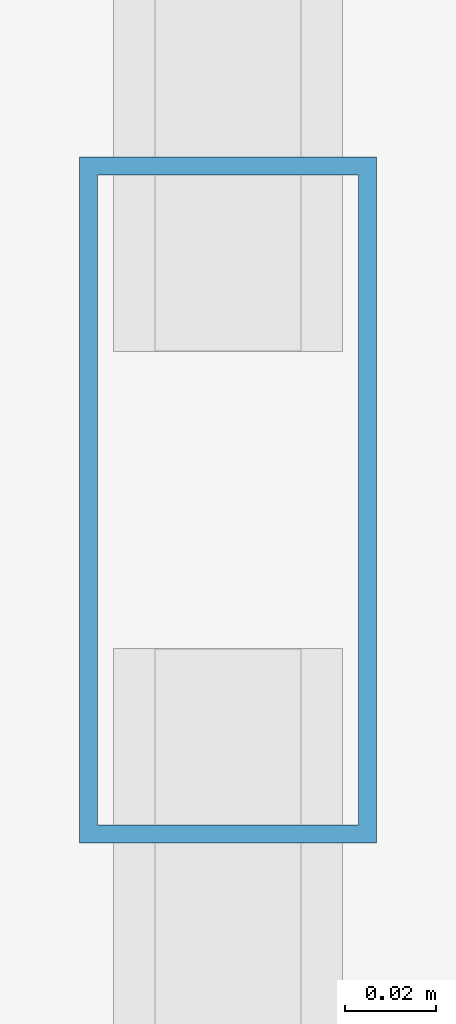
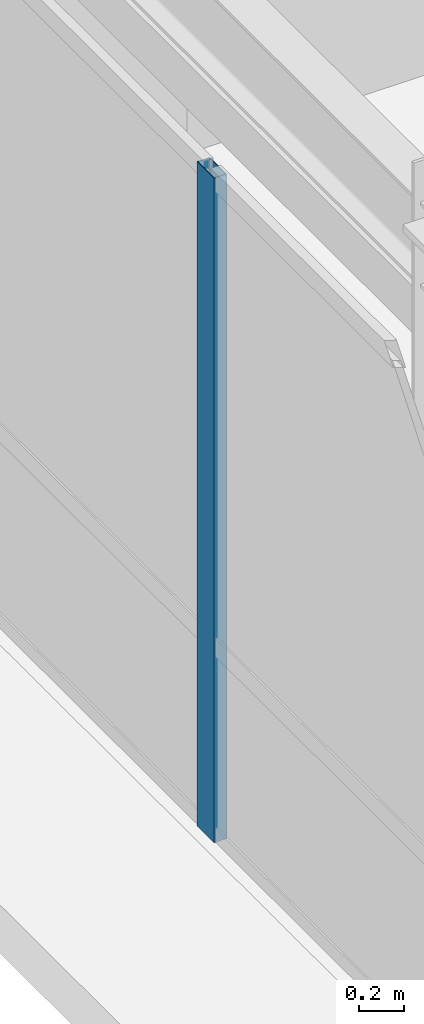
# One storey, part 15 of 35: 1 member, 1 element without a shape of its own.
"""IFC4 building model written with IfcOpenShell, lengths in metres."""

from ifc_helpers import new_model, si_unit, direction, frame, origin, origin_2d, place, context, subcontext, project, spatial, hollow_rectangle, extrude, source, transform, mapped, material, layer, layer_set, material_profile, profile_set, type_object, type_shapes, element, aggregate, save


model = new_model("IFC4")

# Units and contexts
model_context = context("Model", 3, precision=1e-05, world=origin(), true_north=direction((0.0, 1.0)))
body_context = subcontext(model_context, "Body", "Model", "MODEL_VIEW")
ifc_project = project(units=[si_unit("LENGTHUNIT", "METRE"), si_unit("AREAUNIT", "SQUARE_METRE"), si_unit("VOLUMEUNIT", "CUBIC_METRE"), si_unit("PLANEANGLEUNIT", "RADIAN"), si_unit("MASSUNIT", "GRAM", prefix="KILO")], contexts=[model_context])

# Site, building, storey
site_placement = place(None, origin())
site = spatial("IfcSite", under=ifc_project, at=site_placement, CompositionType="ELEMENT")
building_placement = place(site_placement, origin())
building = spatial("IfcBuilding", under=site, at=building_placement, Name="Tolvann Quenvar Hotel", CompositionType="ELEMENT")
storey_placement = place(building_placement, frame((0.0, 0.0, 290.949951171875)))
storey = spatial("IfcBuildingStorey", under=building, at=storey_placement, Name="L77", CompositionType="ELEMENT", Elevation=290.949951171875)

# Curtain wall, member
ifc_material_1 = material(Name="Thermally broken anodised architectural aluminium 6063-T6 and laminated low-E glass", Category="aluminium")
ifc_layer = layer(ifc_material_1, 0.179931640625)
ifc_layer_set = layer_set([ifc_layer], Name="Thermally broken anodised architectural aluminium 6063-T6 and laminated low-E glass")
curtain_wall_type = type_object("IfcCurtainWallType", Name="CW_SYS_LANT_06", PredefinedType="USERDEFINED", material=ifc_layer_set)
curtain_wall_placement = place(storey_placement, origin())
curtain_wall = element("IfcCurtainWall", 1, at=curtain_wall_placement, inside=storey, type_object=curtain_wall_type, Name="Curtain Wall CW-LANT-06 (CWR-L77-E19)", ObjectType="UNITISED CURTAIN WALL", PredefinedType="USERDEFINED")
ifc_material_2 = material(Name="Anodised architectural aluminium 6063-T6 framing", Category="aluminium")
ifc_material_profile = material_profile(ifc_material_2, hollow_rectangle(XDim=0.06494140625, YDim=0.14990234375, WallThickness=0.00390625, at=origin_2d()), Name="150x65x4RHS")
ifc_profile_set = profile_set([ifc_material_profile], Name="Anodised architectural aluminium 6063-T6 framing")
member_type = type_object("IfcMemberType", Name="CW_MULL_150x65", PredefinedType="MULLION", material=ifc_profile_set)
shared_shape = source(origin(), body_context, "Body", "SweptSolid", [
    extrude(hollow_rectangle(XDim=0.06494140625, YDim=0.14990234375, WallThickness=0.00390625, at=origin_2d()), origin(), (0.0, 0.0, 1.0), 3.580078125),
])
type_shapes(member_type, [shared_shape])
member_placement = place(storey_placement, frame((3.68994140625, 25.199951171875, 0.0), z_axis=(0.0, 0.0, 1.0), x_axis=(1.0, 0.0, 0.0)))
member = element("IfcMember", 2, at=member_placement, type_object=member_type, Name="CW-LANT-06 mullion 4", PredefinedType="MULLION", context=body_context, shape_type="MappedRepresentation", body=[
    mapped(shared_shape, transform((0.0, 0.0, 0.0), x_axis=(1.0, 0.0, 0.0), y_axis=(0.0, 1.0, 0.0), z_axis=(0.0, 0.0, 1.0), scale=1.0)),
])
aggregate(curtain_wall, [member])

save(model, "model.ifc")
